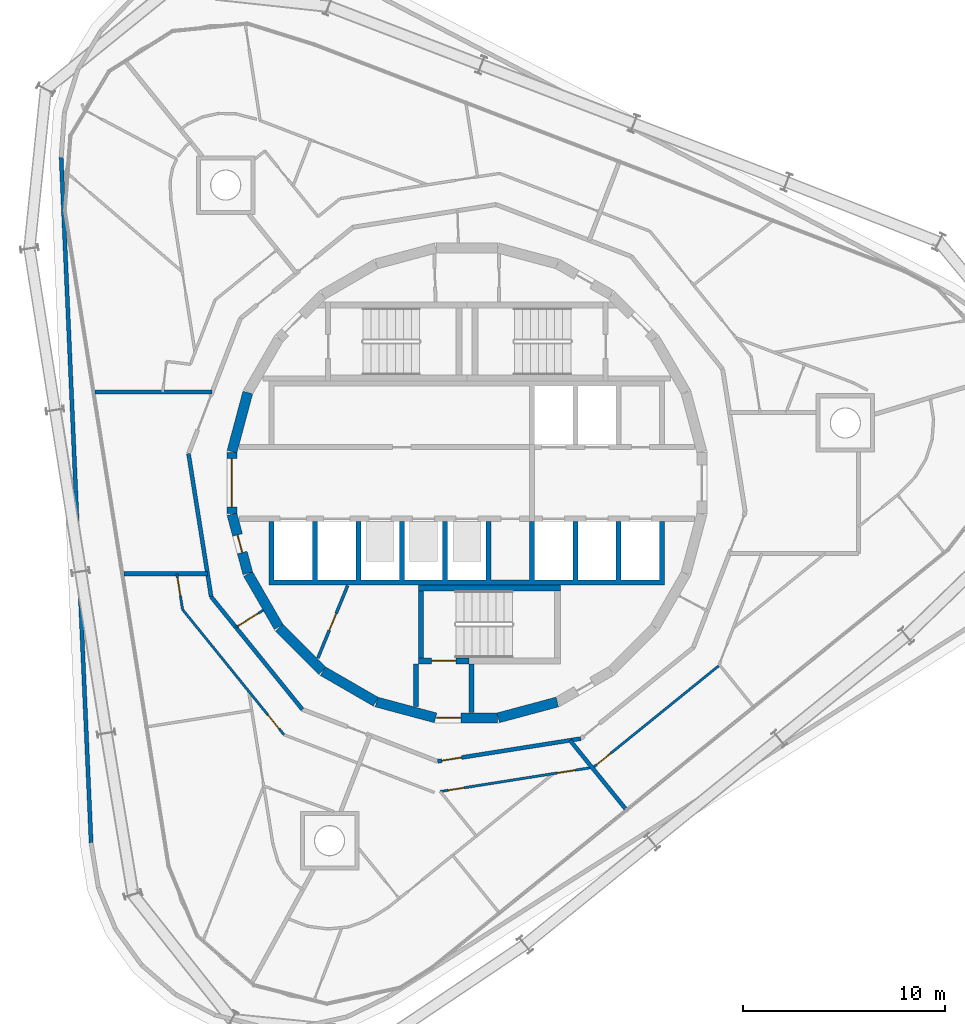
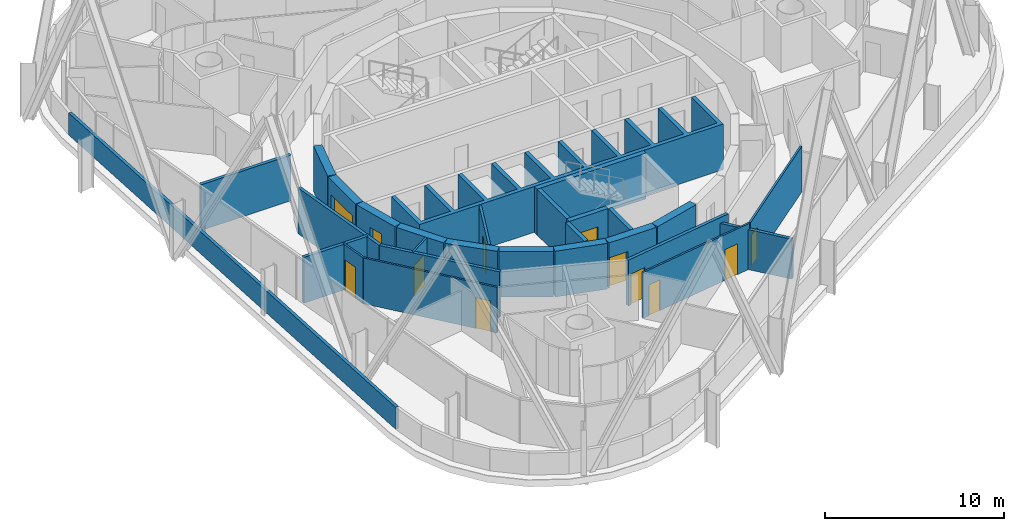
# One storey, part 12 of 19: 28 walls, 12 doors, 12 openings.
"""IFC4 building model written with IfcOpenShell, lengths in metres."""

from ifc_helpers import new_model, si_unit, direction, frame, frame_2d, origin, place, context, subcontext, project, spatial, polyline, rectangle, outline, extrude, material, layer, layer_set, type_object, element, fill, save


model = new_model("IFC4")

# Units and contexts
model_context = context("Model", 3, precision=1e-05, world=origin(), true_north=direction((0.0, 1.0)))
body_context = subcontext(model_context, "Body", "Model", "MODEL_VIEW")
ifc_project = project(units=[si_unit("LENGTHUNIT", "METRE"), si_unit("AREAUNIT", "SQUARE_METRE"), si_unit("VOLUMEUNIT", "CUBIC_METRE"), si_unit("PLANEANGLEUNIT", "RADIAN"), si_unit("MASSUNIT", "GRAM", prefix="KILO")], contexts=[model_context])

# Site, building, storey
site_placement = place(None, origin())
site = spatial("IfcSite", under=ifc_project, at=site_placement, CompositionType="ELEMENT")
building_placement = place(site_placement, origin())
building = spatial("IfcBuilding", under=site, at=building_placement, Name="Spindle Arch Residences", CompositionType="ELEMENT")
storey_placement = place(building_placement, frame((0.0, 0.0, 263.39990234375)))
storey = spatial("IfcBuildingStorey", under=building, at=storey_placement, Name="L67", CompositionType="ELEMENT", Elevation=263.39990234375)

# Walls
ifc_material_1 = material(Name="Concrete C50/60", Category="concrete")
ifc_layer_1 = layer(ifc_material_1, 0.5)
ifc_layer_set_1 = layer_set([ifc_layer_1], Name="Core outline wall 500")
wall_type_1 = type_object("IfcWallType", Name="Core outline wall 500", PredefinedType="SHEAR", material=ifc_layer_set_1)
for number, where, z_axis, x_axis, name in (
    (1, (1.5498046875, -11.642822265625, 0.0), (0.0, 0.0, 1.0), (0.965948410781, 0.258734743916, 0.0), "Core outline wall 1"),
    (2, (-10.858154296875, 4.479248046875, 0.0), (0.0, 0.0, 1.0), (-0.258734743916, -0.965948410781, 0.0), "Core outline wall 17"),
):
    element("IfcWall", number, at=place(storey_placement, frame(where, z_axis=z_axis, x_axis=x_axis)), inside=storey, type_object=wall_type_1, Name=name, PredefinedType="SHEAR", context=body_context, shape_type="SweptSolid", body=[
        extrude(rectangle(XDim=3.03271484375, YDim=0.5, at=frame_2d((1.516357421875, 0.0))), origin(), (0.0, 0.0, 1.0), 3.1201171875),
    ])

# Wall, opening, door
wall_1_placement = place(storey_placement, frame((-11.647216796875, 1.516357421875, 0.0), z_axis=(0.0, 0.0, 1.0), x_axis=(0.0, -1.0, 0.0)))
wall_1 = element("IfcWall", 3, at=wall_1_placement, inside=storey, type_object=wall_type_1, Name="Core outline wall 18", PredefinedType="SHEAR", context=body_context, shape_type="SweptSolid", body=[
    extrude(rectangle(XDim=3.03271484375, YDim=0.5, at=frame_2d((1.516357421875, 0.0))), origin(), (0.0, 0.0, 1.0), 3.1201171875),
])
opening_1_placement = place(wall_1_placement, frame((0.31640625, 0.0, 0.0)))
opening_1 = element("IfcOpeningElement", 4, at=opening_1_placement, cuts=wall_1, Name="Opening R7A0-LE01", PredefinedType="OPENING", context=body_context, shape_type="SweptSolid", body=[
    extrude(rectangle(XDim=2.39990234375, YDim=2.10009765625, at=frame_2d((1.199951171875, 1.050048828125))), frame((0.0, 0.260009765625, 0.0), z_axis=(0.0, -1.0, 0.0), x_axis=(1.0, 0.0, 0.0)), (0.0, 0.0, 1.0), 0.52001953125),
])
ifc_material_2 = material(Name="Steel, fire-resisting door", Category="steel")
door_type_1 = type_object("IfcDoorType", Name="Lift lobby entrance door 2400x2100", OperationType="DOUBLE_DOOR_SINGLE_SWING", PredefinedType="DOOR", material=ifc_material_2)
door_1_placement = place(opening_1_placement, origin())
door_1 = element("IfcDoor", 5, at=door_1_placement, inside=storey, type_object=door_type_1, Name="Lift lobby entrance door R7A0-LE01", OperationType="DOUBLE_DOOR_SINGLE_SWING", OverallHeight=2.10009765625, OverallWidth=2.39990234375, PredefinedType="DOOR", context=body_context, shape_type="SweptSolid", body=[
    extrude(rectangle(XDim=2.39990234375, YDim=2.10009765625, at=frame_2d((1.199951171875, 1.050048828125))), frame((0.0, 0.02490234375, 0.0), z_axis=(0.0, -1.0, 0.0), x_axis=(1.0, 0.0, 0.0)), (0.0, 0.0, 1.0), 0.050048828125),
])
fill(opening_1, door_1)

wall_2_placement = place(storey_placement, frame((-11.642822265625, -1.5498046875, 0.0), z_axis=(0.0, 0.0, 1.0), x_axis=(0.258734743916, -0.965948410781, 0.0)))
wall_2 = element("IfcWall", 6, at=wall_2_placement, inside=storey, type_object=wall_type_1, Name="Core outline wall 19", PredefinedType="SHEAR", context=body_context, shape_type="SweptSolid", body=[
    extrude(rectangle(XDim=3.03271484375, YDim=0.5, at=frame_2d((1.516357421875, 0.0))), origin(), (0.0, 0.0, 1.0), 3.1201171875),
])
opening_2_placement = place(wall_2_placement, frame((1.06640625, 0.0, 0.0)))
opening_2 = element("IfcOpeningElement", 7, at=opening_2_placement, cuts=wall_2, Name="Opening R7A0-WD08", PredefinedType="OPENING", context=body_context, shape_type="SweptSolid", body=[
    extrude(rectangle(XDim=0.89990234375, YDim=2.10009765625, at=frame_2d((0.449951171875, 1.050048828125))), frame((0.0, 0.260009765625, 0.0), z_axis=(0.0, -1.0, 0.0), x_axis=(1.0, 0.0, 0.0)), (0.0, 0.0, 1.0), 0.52001953125),
])
ifc_material_3 = material(Name="Steel, fire-resisting door", Category="steel")
door_type_2 = type_object("IfcDoorType", Name="Service room door 900x2100", OperationType="SINGLE_SWING_LEFT", PredefinedType="DOOR", material=ifc_material_3)
door_2_placement = place(opening_2_placement, origin())
door_2 = element("IfcDoor", 8, at=door_2_placement, inside=storey, type_object=door_type_2, Name="Service room door R7A0-WD08", OperationType="SINGLE_SWING_RIGHT", OverallHeight=2.10009765625, OverallWidth=0.89990234375, PredefinedType="DOOR", context=body_context, shape_type="SweptSolid", body=[
    extrude(rectangle(XDim=0.89990234375, YDim=2.10009765625, at=frame_2d((0.449951171875, 1.050048828125))), frame((0.0, 0.02490234375, 0.0), z_axis=(0.0, -1.0, 0.0), x_axis=(1.0, 0.0, 0.0)), (0.0, 0.0, 1.0), 0.050048828125),
])
fill(opening_2, door_2)

# Walls
wall_3_placement = place(storey_placement, frame((-10.84521484375, -4.510498046875, 0.0), z_axis=(0.0, 0.0, 1.0), x_axis=(0.500087131594, -0.865975092491, 0.0)))
element("IfcWall", 9, at=wall_3_placement, inside=storey, type_object=wall_type_1, Name="Core outline wall 20", PredefinedType="SHEAR", context=body_context, shape_type="SweptSolid", body=[
    extrude(rectangle(XDim=3.03271484375, YDim=0.5, at=frame_2d((1.516357421875, 0.0))), origin(), (0.0, 0.0, 1.0), 3.1201171875),
])
wall_4_placement = place(storey_placement, frame((-9.30810546875, -7.163818359375, 0.0), z_axis=(0.0, 0.0, 1.0), x_axis=(0.707106781187, -0.707106781187, 0.0)))
element("IfcWall", 10, at=wall_4_placement, inside=storey, type_object=wall_type_1, Name="Core outline wall 21", PredefinedType="SHEAR", context=body_context, shape_type="SweptSolid", body=[
    extrude(rectangle(XDim=3.032470703125, YDim=0.5, at=frame_2d((1.51611328125, 0.0))), origin(), (0.0, 0.0, 1.0), 3.1201171875),
])
for number, where, z_axis, x_axis, name in (
    (11, (-7.13671875, -9.32861328125, 0.0), (0.0, 0.0, 1.0), (0.865975092491, -0.500087131594, 0.0), "Core outline wall 22"),
    (12, (-4.479248046875, -10.858154296875, 0.0), (0.0, 0.0, 1.0), (0.965948410781, -0.258734743916, 0.0), "Core outline wall 23"),
):
    element("IfcWall", number, at=place(storey_placement, frame(where, z_axis=z_axis, x_axis=x_axis)), inside=storey, type_object=wall_type_1, Name=name, PredefinedType="SHEAR", context=body_context, shape_type="SweptSolid", body=[
        extrude(rectangle(XDim=3.03271484375, YDim=0.5, at=frame_2d((1.516357421875, 0.0))), origin(), (0.0, 0.0, 1.0), 3.1201171875),
    ])

# Wall, opening, door
wall_5_placement = place(storey_placement, frame((-1.516357421875, -11.647216796875, 0.0), z_axis=(0.0, 0.0, 1.0), x_axis=(1.0, 0.0, 0.0)))
wall_5 = element("IfcWall", 13, at=wall_5_placement, inside=storey, type_object=wall_type_1, Name="Core outline wall 24", PredefinedType="SHEAR", context=body_context, shape_type="SweptSolid", body=[
    extrude(rectangle(XDim=3.03271484375, YDim=0.5, at=frame_2d((1.516357421875, 0.0))), origin(), (0.0, 0.0, 1.0), 3.1201171875),
])
opening_3_placement = place(wall_5_placement, frame((0.016357421875, 0.0, 0.0)))
opening_3 = element("IfcOpeningElement", 14, at=opening_3_placement, cuts=wall_5, Name="Opening R7A0-AD03", PredefinedType="OPENING", context=body_context, shape_type="SweptSolid", body=[
    extrude(rectangle(XDim=1.199951171875, YDim=2.10009765625, at=frame_2d((0.60009765625, 1.050048828125))), frame((0.0, 0.260009765625, 0.0), z_axis=(0.0, -1.0, 0.0), x_axis=(1.0, 0.0, 0.0)), (0.0, 0.0, 1.0), 0.52001953125),
])
ifc_material_4 = material(Name="Steel, fire-resisting door", Category="steel")
door_type_3 = type_object("IfcDoorType", Name="Stair airlock door 1200x2100", OperationType="SINGLE_SWING_LEFT", PredefinedType="DOOR", material=ifc_material_4)
door_3_placement = place(opening_3_placement, origin())
door_3 = element("IfcDoor", 15, at=door_3_placement, inside=storey, type_object=door_type_3, Name="Stair airlock door R7A0-AD03", OperationType="SINGLE_SWING_RIGHT", OverallHeight=2.10009765625, OverallWidth=1.199951171875, PredefinedType="DOOR", context=body_context, shape_type="SweptSolid", body=[
    extrude(rectangle(XDim=1.199951171875, YDim=2.10009765625, at=frame_2d((0.60009765625, 1.050048828125))), frame((0.0, 0.02490234375, 0.0), z_axis=(0.0, -1.0, 0.0), x_axis=(1.0, 0.0, 0.0)), (0.0, 0.0, 1.0), 0.050048828125),
])
fill(opening_3, door_3)

ifc_material_5 = material(Name="Plasterboard on steel studs", Category="steel")
ifc_layer_2 = layer(ifc_material_5, 0.1201171875)
ifc_layer_set_2 = layer_set([ifc_layer_2], Name="Corridor division wall 120")
wall_type_2 = type_object("IfcWallType", Name="Corridor division wall 120", PredefinedType="PARTITIONING", material=ifc_layer_set_2)
wall_6_placement = place(storey_placement, frame((-11.44921875, -7.154296875, 0.0), z_axis=(0.0, 0.0, 1.0), x_axis=(0.848067047543, 0.529888934468, 0.0)))
wall_6 = element("IfcWall", 16, at=wall_6_placement, inside=storey, type_object=wall_type_2, Name="Corridor division wall R7A0-W003", PredefinedType="PARTITIONING", context=body_context, shape_type="SweptSolid", body=[
    extrude(rectangle(XDim=1.595947265625, YDim=0.1201171875, at=frame_2d((0.7978515625, 0.0))), origin(), (0.0, 0.0, 1.0), 3.1201171875),
])
opening_4_placement = place(wall_6_placement, frame((0.1201171875, 0.0, 0.0)))
opening_4 = element("IfcOpeningElement", 17, at=opening_4_placement, cuts=wall_6, Name="Opening R7A0-CD03", PredefinedType="OPENING", context=body_context, shape_type="SweptSolid", body=[
    extrude(rectangle(XDim=1.199951171875, YDim=2.10009765625, at=frame_2d((0.60009765625, 1.050048828125))), frame((0.0, 0.070068359375, 0.0), z_axis=(0.0, -1.0, 0.0), x_axis=(1.0, 0.0, 0.0)), (0.0, 0.0, 1.0), 0.14013671875),
])
ifc_material_6 = material(Name="Steel, fire-resisting door", Category="steel")
door_type_4 = type_object("IfcDoorType", Name="Corridor division door 1200x2100", OperationType="NOTDEFINED", PredefinedType="DOOR", material=ifc_material_6)
door_4_placement = place(opening_4_placement, origin())
door_4 = element("IfcDoor", 18, at=door_4_placement, inside=storey, type_object=door_type_4, Name="Corridor division door R7A0-CD03", OperationType="DOUBLE_DOOR_SINGLE_SWING", OverallHeight=2.10009765625, OverallWidth=1.199951171875, PredefinedType="DOOR", context=body_context, shape_type="SweptSolid", body=[
    extrude(rectangle(XDim=1.199951171875, YDim=2.10009765625, at=frame_2d((0.60009765625, 1.050048828125))), frame((0.0, 0.02490234375, 0.0), z_axis=(0.0, -1.0, 0.0), x_axis=(1.0, 0.0, 0.0)), (0.0, 0.0, 1.0), 0.050048828125),
])
fill(opening_4, door_4)

# Wall
ifc_material_7 = material(Name="Calcium silicate block, plastered")
ifc_layer_3 = layer(ifc_material_7, 0.199951171875)
ifc_layer_set_3 = layer_set([ifc_layer_3], Name="Corridor wall 200")
wall_type_3 = type_object("IfcWallType", Name="Corridor wall 200", PredefinedType="STANDARD", material=ifc_layer_set_3)
wall_7_placement = place(storey_placement, frame((-12.67333984375, -5.642578125, 0.0), z_axis=(0.0, 0.0, 1.0), x_axis=(0.629302871585, -0.777160148113, 0.0)))
element("IfcWall", 19, at=wall_7_placement, inside=storey, type_object=wall_type_3, Name="Corridor wall R7A0-W012", PredefinedType="STANDARD", context=body_context, shape_type="SweptSolid", body=[
    extrude(rectangle(XDim=7.180908203125, YDim=0.199951171875, at=frame_2d((3.59033203125, 0.0))), origin(), (0.0, 0.0, 1.0), 3.1201171875),
])

# Wall, opening, door
wall_8_placement = place(storey_placement, frame((-1.4501953125, -13.796630859375, 0.0), z_axis=(0.0, 0.0, 1.0), x_axis=(0.987690361611, 0.156421704315, 0.0)))
wall_8 = element("IfcWall", 20, at=wall_8_placement, inside=storey, type_object=wall_type_3, Name="Corridor wall R7A0-W014", PredefinedType="STANDARD", context=body_context, shape_type="SweptSolid", body=[
    extrude(rectangle(XDim=7.18115234375, YDim=0.199951171875, at=frame_2d((3.590576171875, 0.0))), origin(), (0.0, 0.0, 1.0), 3.1201171875),
])
opening_5_placement = place(wall_8_placement, frame((0.199951171875, 0.0, 0.0)))
opening_5 = element("IfcOpeningElement", 21, at=opening_5_placement, cuts=wall_8, Name="Opening R7A0-FD05", PredefinedType="OPENING", context=body_context, shape_type="SweptSolid", body=[
    extrude(rectangle(XDim=1.0, YDim=2.10009765625, at=frame_2d((0.5, 1.050048828125))), frame((0.0, 0.10986328125, 0.0), z_axis=(0.0, -1.0, 0.0), x_axis=(1.0, 0.0, 0.0)), (0.0, 0.0, 1.0), 0.219970703125),
])
ifc_material_8 = material(Name="Timber, fire-resisting door set", Category="wood")
door_type_5 = type_object("IfcDoorType", Name="Flat entrance door 1000x2100", OperationType="NOTDEFINED", PredefinedType="DOOR", material=ifc_material_8)
door_5_placement = place(opening_5_placement, origin())
door_5 = element("IfcDoor", 22, at=door_5_placement, inside=storey, type_object=door_type_5, Name="Flat entrance door R7A0-FD05", OperationType="SINGLE_SWING_LEFT", OverallHeight=2.10009765625, OverallWidth=1.0, PredefinedType="DOOR", context=body_context, shape_type="SweptSolid", body=[
    extrude(rectangle(XDim=1.0, YDim=2.10009765625, at=frame_2d((0.5, 1.050048828125))), frame((0.0, 0.02490234375, 0.0), z_axis=(0.0, -1.0, 0.0), x_axis=(1.0, 0.0, 0.0)), (0.0, 0.0, 1.0), 0.050048828125),
])
fill(opening_5, door_5)

ifc_material_9 = material(Name="Plasterboard on steel studs", Category="steel")
ifc_layer_4 = layer(ifc_material_9, 0.1201171875)
ifc_layer_set_4 = layer_set([ifc_layer_4], Name="Flat partition 120")
wall_type_4 = type_object("IfcWallType", Name="Flat partition 120", PredefinedType="PARTITIONING", material=ifc_layer_set_4)
wall_9_placement = place(storey_placement, frame((-14.373046875, -4.5, 0.0), z_axis=(0.0, 0.0, 1.0), x_axis=(0.156437152886, -0.987687914878, 0.0)))
wall_9 = element("IfcWall", 23, at=wall_9_placement, inside=storey, type_object=wall_type_4, Name="Flat partition R7A0-W063", PredefinedType="PARTITIONING", context=body_context, shape_type="SweptSolid", body=[
    extrude(rectangle(XDim=1.79638671875, YDim=0.1201171875, at=frame_2d((0.898193359375, 0.0))), origin(), (0.0, 0.0, 1.0), 3.1201171875),
])
opening_6_placement = place(wall_9_placement, frame((0.199951171875, 0.0, 0.0)))
opening_6 = element("IfcOpeningElement", 24, at=opening_6_placement, cuts=wall_9, Name="Opening R7A0-ID14", PredefinedType="OPENING", context=body_context, shape_type="SweptSolid", body=[
    extrude(rectangle(XDim=0.89990234375, YDim=2.10009765625, at=frame_2d((0.449951171875, 1.050048828125))), frame((0.0, 0.070068359375, 0.0), z_axis=(0.0, -1.0, 0.0), x_axis=(1.0, 0.0, 0.0)), (0.0, 0.0, 1.0), 0.14013671875),
])
ifc_material_10 = material(Name="Timber door set", Category="wood")
door_type_6 = type_object("IfcDoorType", Name="Room door 900x2100", OperationType="NOTDEFINED", PredefinedType="DOOR", material=ifc_material_10)
door_6_placement = place(opening_6_placement, origin())
door_6 = element("IfcDoor", 25, at=door_6_placement, inside=storey, type_object=door_type_6, Name="Room door R7A0-ID14", OperationType="SINGLE_SWING_RIGHT", OverallHeight=2.10009765625, OverallWidth=0.89990234375, PredefinedType="DOOR", context=body_context, shape_type="SweptSolid", body=[
    extrude(rectangle(XDim=0.89990234375, YDim=2.10009765625, at=frame_2d((0.449951171875, 1.050048828125))), frame((0.0, 0.02490234375, 0.0), z_axis=(0.0, -1.0, 0.0), x_axis=(1.0, 0.0, 0.0)), (0.0, 0.0, 1.0), 0.050048828125),
])
fill(opening_6, door_6)

wall_10_placement = place(storey_placement, frame((-14.092041015625, -6.274169921875, 0.0), z_axis=(0.0, 0.0, 1.0), x_axis=(0.62933367237, -0.777135206268, 0.0)))
wall_10 = element("IfcWall", 26, at=wall_10_placement, inside=storey, type_object=wall_type_4, Name="Flat partition R7A0-W064", PredefinedType="PARTITIONING", context=body_context, shape_type="SweptSolid", body=[
    extrude(rectangle(XDim=7.98486328125, YDim=0.1201171875, at=frame_2d((3.992431640625, 0.0))), origin(), (0.0, 0.0, 1.0), 3.1201171875),
])
opening_7_placement = place(wall_10_placement, frame((6.706787109375, 0.0, 0.0)))
opening_7 = element("IfcOpeningElement", 27, at=opening_7_placement, cuts=wall_10, Name="Opening R7A0-ID15", PredefinedType="OPENING", context=body_context, shape_type="SweptSolid", body=[
    extrude(rectangle(XDim=0.89990234375, YDim=2.10009765625, at=frame_2d((0.449951171875, 1.050048828125))), frame((0.0, 0.070068359375, 0.0), z_axis=(0.0, -1.0, 0.0), x_axis=(1.0, 0.0, 0.0)), (0.0, 0.0, 1.0), 0.14013671875),
])
door_7_placement = place(opening_7_placement, origin())
door_7 = element("IfcDoor", 28, at=door_7_placement, inside=storey, type_object=door_type_6, Name="Room door R7A0-ID15", OperationType="SINGLE_SWING_RIGHT", OverallHeight=2.10009765625, OverallWidth=0.89990234375, PredefinedType="DOOR", context=body_context, shape_type="SweptSolid", body=[
    extrude(rectangle(XDim=0.89990234375, YDim=2.10009765625, at=frame_2d((0.449951171875, 1.050048828125))), frame((0.0, 0.02490234375, 0.0), z_axis=(0.0, -1.0, 0.0), x_axis=(1.0, 0.0, 0.0)), (0.0, 0.0, 1.0), 0.050048828125),
])
fill(opening_7, door_7)

# Wall, openings, doors
wall_11_placement = place(storey_placement, frame((-1.318359375, -15.29443359375, 0.0), z_axis=(0.0, 0.0, 1.0), x_axis=(0.987689040792, 0.156430044108, 0.0)))
wall_11 = element("IfcWall", 29, at=wall_11_placement, inside=storey, type_object=wall_type_4, Name="Flat partition R7A0-W074", PredefinedType="PARTITIONING", context=body_context, shape_type="SweptSolid", body=[
    extrude(rectangle(XDim=7.6162109375, YDim=0.1201171875, at=frame_2d((3.80810546875, 0.0))), origin(), (0.0, 0.0, 1.0), 3.1201171875),
])
opening_8_placement = place(wall_11_placement, frame((0.39990234375, 0.0, 0.0)))
opening_8 = element("IfcOpeningElement", 30, at=opening_8_placement, cuts=wall_11, Name="Opening R7A0-BD05", PredefinedType="OPENING", context=body_context, shape_type="SweptSolid", body=[
    extrude(rectangle(XDim=0.800048828125, YDim=2.10009765625, at=frame_2d((0.39990234375, 1.050048828125))), frame((0.0, 0.070068359375, 0.0), z_axis=(0.0, -1.0, 0.0), x_axis=(1.0, 0.0, 0.0)), (0.0, 0.0, 1.0), 0.14013671875),
])
opening_9_placement = place(wall_11_placement, frame((5.88037109375, 0.0, 0.0)))
opening_9 = element("IfcOpeningElement", 31, at=opening_9_placement, cuts=wall_11, Name="Opening R7A0-ID19", PredefinedType="OPENING", context=body_context, shape_type="SweptSolid", body=[
    extrude(rectangle(XDim=0.89990234375, YDim=2.10009765625, at=frame_2d((0.449951171875, 1.050048828125))), frame((0.0, 0.070068359375, 0.0), z_axis=(0.0, -1.0, 0.0), x_axis=(1.0, 0.0, 0.0)), (0.0, 0.0, 1.0), 0.14013671875),
])
ifc_material_11 = material(Name="Timber door set", Category="wood")
door_type_7 = type_object("IfcDoorType", Name="Bathroom door 800x2100", OperationType="NOTDEFINED", PredefinedType="DOOR", material=ifc_material_11)
door_8_placement = place(opening_8_placement, origin())
door_8 = element("IfcDoor", 32, at=door_8_placement, inside=storey, type_object=door_type_7, Name="Bathroom door R7A0-BD05", OperationType="SINGLE_SWING_LEFT", OverallHeight=2.10009765625, OverallWidth=0.800048828125, PredefinedType="DOOR", context=body_context, shape_type="SweptSolid", body=[
    extrude(rectangle(XDim=0.800048828125, YDim=2.10009765625, at=frame_2d((0.39990234375, 1.050048828125))), frame((0.0, 0.02490234375, 0.0), z_axis=(0.0, -1.0, 0.0), x_axis=(1.0, 0.0, 0.0)), (0.0, 0.0, 1.0), 0.050048828125),
])
fill(opening_8, door_8)
door_9_placement = place(opening_9_placement, origin())
door_9 = element("IfcDoor", 33, at=door_9_placement, inside=storey, type_object=door_type_6, Name="Room door R7A0-ID19", OperationType="SINGLE_SWING_LEFT", OverallHeight=2.10009765625, OverallWidth=0.89990234375, PredefinedType="DOOR", context=body_context, shape_type="SweptSolid", body=[
    extrude(rectangle(XDim=0.89990234375, YDim=2.10009765625, at=frame_2d((0.449951171875, 1.050048828125))), frame((0.0, 0.02490234375, 0.0), z_axis=(0.0, -1.0, 0.0), x_axis=(1.0, 0.0, 0.0)), (0.0, 0.0, 1.0), 0.050048828125),
])
fill(opening_9, door_9)

# Wall, opening, door
wall_12_placement = place(storey_placement, frame((6.274169921875, -14.092041015625, 0.0), z_axis=(0.0, 0.0, 1.0), x_axis=(0.777135206268, 0.62933367237, 0.0)))
wall_12 = element("IfcWall", 34, at=wall_12_placement, inside=storey, type_object=wall_type_4, Name="Flat partition R7A0-W085", PredefinedType="PARTITIONING", context=body_context, shape_type="SweptSolid", body=[
    extrude(rectangle(XDim=7.98486328125, YDim=0.1201171875, at=frame_2d((3.992431640625, 0.0))), origin(), (0.0, 0.0, 1.0), 3.1201171875),
])
opening_10_placement = place(wall_12_placement, frame((0.199951171875, 0.0, 0.0)))
opening_10 = element("IfcOpeningElement", 35, at=opening_10_placement, cuts=wall_12, Name="Opening R7A0-ID23", PredefinedType="OPENING", context=body_context, shape_type="SweptSolid", body=[
    extrude(rectangle(XDim=0.89990234375, YDim=2.10009765625, at=frame_2d((0.449951171875, 1.050048828125))), frame((0.0, 0.070068359375, 0.0), z_axis=(0.0, -1.0, 0.0), x_axis=(1.0, 0.0, 0.0)), (0.0, 0.0, 1.0), 0.14013671875),
])
door_10_placement = place(opening_10_placement, origin())
door_10 = element("IfcDoor", 36, at=door_10_placement, inside=storey, type_object=door_type_6, Name="Room door R7A0-ID23", OperationType="SINGLE_SWING_LEFT", OverallHeight=2.10009765625, OverallWidth=0.89990234375, PredefinedType="DOOR", context=body_context, shape_type="SweptSolid", body=[
    extrude(rectangle(XDim=0.89990234375, YDim=2.10009765625, at=frame_2d((0.449951171875, 1.050048828125))), frame((0.0, 0.02490234375, 0.0), z_axis=(0.0, -1.0, 0.0), x_axis=(1.0, 0.0, 0.0)), (0.0, 0.0, 1.0), 0.050048828125),
])
fill(opening_10, door_10)

# Walls
ifc_material_12 = material(Name="Calcium silicate block, plastered")
ifc_layer_5 = layer(ifc_material_12, 0.199951171875)
ifc_layer_set_5 = layer_set([ifc_layer_5], Name="Flat party wall 200 under beam 2730")
wall_type_5 = type_object("IfcWallType", Name="Flat party wall 200 under beam 2730", PredefinedType="STANDARD", material=ifc_layer_set_5)
wall_13_placement = place(storey_placement, frame((7.860595703125, -16.1484375, 0.0), z_axis=(0.0, 0.0, 1.0), x_axis=(-0.629330189513, 0.777138026716, 0.0)))
element("IfcWall", 37, at=wall_13_placement, inside=storey, type_object=wall_type_5, Name="Flat party wall R7A0-W029", PredefinedType="STANDARD", context=body_context, shape_type="SweptSolid", body=[
    extrude(rectangle(XDim=4.364013671875, YDim=0.199951171875, at=frame_2d((2.18212890625, 0.0))), origin(), (0.0, 0.0, 1.0), 2.72998046875),
])
ifc_material_13 = material(Name="Calcium silicate block, plastered")
ifc_layer_6 = layer(ifc_material_13, 0.199951171875)
ifc_layer_set_6 = layer_set([ifc_layer_6], Name="Lift lobby bay wall 200")
wall_type_6 = type_object("IfcWallType", Name="Lift lobby bay wall 200", PredefinedType="STANDARD", material=ifc_layer_set_6)
wall_14_placement = place(storey_placement, frame((-13.796630859375, 1.4501953125, 0.0), z_axis=(0.0, 0.0, 1.0), x_axis=(0.156421704315, -0.987690361611, 0.0)))
element("IfcWall", 38, at=wall_14_placement, inside=storey, type_object=wall_type_6, Name="Lift lobby bay wall R7A0-W010", PredefinedType="STANDARD", context=body_context, shape_type="SweptSolid", body=[
    extrude(rectangle(XDim=7.18115234375, YDim=0.199951171875, at=frame_2d((3.590576171875, 0.0))), origin(), (0.0, 0.0, 1.0), 3.1201171875),
])
wall_15_placement = place(storey_placement, frame((-12.6259765625, 4.5, 0.0), z_axis=(0.0, 0.0, 1.0), x_axis=(-1.0, 0.0, 0.0)))
element("IfcWall", 39, at=wall_15_placement, inside=storey, type_object=wall_type_6, Name="Lift lobby bay wall R7A0-W016", PredefinedType="STANDARD", context=body_context, shape_type="SweptSolid", body=[
    extrude(rectangle(XDim=5.801513671875, YDim=0.199951171875, at=frame_2d((2.90087890625, 0.0))), origin(), (0.0, 0.0, 1.0), 3.1201171875),
])
wall_16_placement = place(storey_placement, frame((-17.001953125, -4.5, 0.0), z_axis=(0.0, 0.0, 1.0), x_axis=(1.0, 0.0, 0.0)))
element("IfcWall", 40, at=wall_16_placement, inside=storey, type_object=wall_type_6, Name="Lift lobby bay wall R7A0-W017", PredefinedType="STANDARD", context=body_context, shape_type="SweptSolid", body=[
    extrude(rectangle(XDim=4.147705078125, YDim=0.199951171875, at=frame_2d((2.07373046875, 0.0))), origin(), (0.0, 0.0, 1.0), 3.1201171875),
])
ifc_material_14 = material(Name="Concrete C50/60", Category="concrete")
wall_type_7 = type_object("IfcWallType", Name="Lift shaft wall profile", PredefinedType="SHEAR", material=ifc_material_14)
wall_17_placement = place(storey_placement, origin())
element("IfcWall", 41, at=wall_17_placement, inside=storey, type_object=wall_type_7, Name="Lift shaft walls S", PredefinedType="SHEAR", context=body_context, shape_type="SweptSolid", body=[
    extrude(outline(polyline([(9.800048828125, -5.050048828125), (9.800048828125, -4.800048828125), (9.800048828125, -1.89990234375), (9.550048828125, -1.89990234375), (9.550048828125, -4.800048828125), (7.64990234375, -4.800048828125), (7.64990234375, -1.89990234375), (7.39990234375, -1.89990234375), (7.39990234375, -4.800048828125), (5.5, -4.800048828125), (5.5, -1.89990234375), (5.25, -1.89990234375), (5.25, -4.800048828125), (3.35009765625, -4.800048828125), (3.35009765625, -1.89990234375), (3.10009765625, -1.89990234375), (3.10009765625, -4.800048828125), (1.199951171875, -4.800048828125), (1.199951171875, -1.89990234375), (0.949951171875, -1.89990234375), (0.949951171875, -4.800048828125), (-0.949951171875, -4.800048828125), (-0.949951171875, -1.89990234375), (-1.199951171875, -1.89990234375), (-1.199951171875, -4.800048828125), (-3.10009765625, -4.800048828125), (-3.10009765625, -1.89990234375), (-3.35009765625, -1.89990234375), (-3.35009765625, -4.800048828125), (-5.25, -4.800048828125), (-5.25, -1.89990234375), (-5.5, -1.89990234375), (-5.5, -4.800048828125), (-7.39990234375, -4.800048828125), (-7.39990234375, -1.89990234375), (-7.64990234375, -1.89990234375), (-7.64990234375, -4.800048828125), (-9.550048828125, -4.800048828125), (-9.550048828125, -1.89990234375), (-9.800048828125, -1.89990234375), (-9.800048828125, -4.800048828125), (-9.800048828125, -5.050048828125), (9.800048828125, -5.050048828125)])), origin(), (0.0, 0.0, 1.0), 3.1201171875),
])
ifc_material_15 = material(Name="Concrete C40/50", Category="concrete")
ifc_layer_7 = layer(ifc_material_15, 0.199951171875)
ifc_layer_set_7 = layer_set([ifc_layer_7], Name="Roof parapet 1500")
wall_type_8 = type_object("IfcWallType", Name="Roof parapet 1500", PredefinedType="PARAPET", material=ifc_layer_set_7)
wall_18_placement = place(storey_placement, frame((-18.624267578125, -17.833740234375, 0.030029296875), z_axis=(0.0, 0.0, 1.0), x_axis=(-0.043617910627, 0.999048286057, 0.0)))
element("IfcWall", 42, at=wall_18_placement, inside=storey, type_object=wall_type_8, Name="Roof parapet L66 1.11", PredefinedType="PARAPET", context=body_context, shape_type="SweptSolid", body=[
    extrude(rectangle(XDim=34.009033203125, YDim=0.199951171875, at=frame_2d((17.00439453125, 0.0))), origin(), (0.0, 0.0, 1.0), 1.5),
])

# Wall, opening, door
ifc_material_16 = material(Name="Concrete C25/30", Category="concrete")
ifc_layer_8 = layer(ifc_material_16, 0.14990234375)
ifc_layer_set_8 = layer_set([ifc_layer_8], Name="Service room partition 150")
wall_type_9 = type_object("IfcWallType", Name="Service room partition 150", PredefinedType="PARTITIONING", material=ifc_layer_set_8)
wall_19_placement = place(storey_placement, frame((-7.385009765625, -8.680908203125, 0.0), z_axis=(0.0, 0.0, 1.0), x_axis=(0.379804590409, 0.925066739811, 0.0)))
wall_19 = element("IfcWall", 43, at=wall_19_placement, inside=storey, type_object=wall_type_9, Name="Core service room partition", PredefinedType="PARTITIONING", context=body_context, shape_type="SweptSolid", body=[
    extrude(rectangle(XDim=3.885009765625, YDim=0.14990234375, at=frame_2d((1.9423828125, 0.0))), origin(), (0.0, 0.0, 1.0), 3.1201171875),
])
opening_11_placement = place(wall_19_placement, frame((1.49267578125, 0.0, 0.0)))
opening_11 = element("IfcOpeningElement", 44, at=opening_11_placement, cuts=wall_19, Name="Opening R7A0-WD04", PredefinedType="OPENING", context=body_context, shape_type="SweptSolid", body=[
    extrude(rectangle(XDim=0.89990234375, YDim=2.10009765625, at=frame_2d((0.449951171875, 1.050048828125))), frame((0.0, 0.0849609375, 0.0), z_axis=(0.0, -1.0, 0.0), x_axis=(1.0, 0.0, 0.0)), (0.0, 0.0, 1.0), 0.169921875),
])
door_11_placement = place(opening_11_placement, origin())
door_11 = element("IfcDoor", 45, at=door_11_placement, inside=storey, type_object=door_type_2, Name="Service room door R7A0-WD04", OperationType="SINGLE_SWING_RIGHT", OverallHeight=2.10009765625, OverallWidth=0.89990234375, PredefinedType="DOOR", context=body_context, shape_type="SweptSolid", body=[
    extrude(rectangle(XDim=0.89990234375, YDim=2.10009765625, at=frame_2d((0.449951171875, 1.050048828125))), frame((0.0, 0.02490234375, 0.0), z_axis=(0.0, -1.0, 0.0), x_axis=(1.0, 0.0, 0.0)), (0.0, 0.0, 1.0), 0.050048828125),
])
fill(opening_11, door_11)

# Walls
ifc_material_17 = material(Name="Concrete C40/50", Category="concrete")
ifc_layer_9 = layer(ifc_material_17, 0.25)
ifc_layer_set_9 = layer_set([ifc_layer_9], Name="Stair airlock wall 250")
wall_type_10 = type_object("IfcWallType", Name="Stair airlock wall 250", PredefinedType="SHEAR", material=ifc_layer_set_9)
wall_20_placement = place(storey_placement, frame((-2.52490234375, -8.969970703125, 0.0), z_axis=(0.0, 0.0, 1.0), x_axis=(0.0, -1.0, 0.0)))
element("IfcWall", 46, at=wall_20_placement, inside=storey, type_object=wall_type_10, Name="Stair ST-3 airlock wall W", PredefinedType="SHEAR", context=body_context, shape_type="SweptSolid", body=[
    extrude(rectangle(XDim=2.110107421875, YDim=0.25, at=frame_2d((1.05517578125, 0.0))), origin(), (0.0, 0.0, 1.0), 3.1201171875),
])
wall_21_placement = place(storey_placement, frame((0.22509765625, -8.969970703125, 0.0), z_axis=(0.0, 0.0, 1.0), x_axis=(0.0, -1.0, 0.0)))
element("IfcWall", 47, at=wall_21_placement, inside=storey, type_object=wall_type_10, Name="Stair ST-3 airlock wall E", PredefinedType="SHEAR", context=body_context, shape_type="SweptSolid", body=[
    extrude(rectangle(XDim=2.409912109375, YDim=0.25, at=frame_2d((1.205078125, 0.0))), origin(), (0.0, 0.0, 1.0), 3.1201171875),
])
ifc_material_18 = material(Name="Concrete C50/60", Category="concrete")
ifc_layer_10 = layer(ifc_material_18, 0.25)
ifc_layer_set_10 = layer_set([ifc_layer_10], Name="Stair enclosure wall 250")
wall_type_11 = type_object("IfcWallType", Name="Stair enclosure wall 250", PredefinedType="SHEAR", material=ifc_layer_set_10)
wall_22_placement = place(storey_placement, frame((-2.27490234375, -8.669921875, 0.0), z_axis=(0.0, 0.0, 1.0), x_axis=(0.0, 1.0, 0.0)))
element("IfcWall", 48, at=wall_22_placement, inside=storey, type_object=wall_type_11, Name="Stair ST-3 enclosure wall W", PredefinedType="SHEAR", context=body_context, shape_type="SweptSolid", body=[
    extrude(rectangle(XDim=3.31982421875, YDim=0.25, at=frame_2d((1.659912109375, 0.0))), origin(), (0.0, 0.0, 1.0), 3.1201171875),
])
ifc_material_19 = material(Name="Concrete C50/60", Category="concrete")
ifc_layer_11 = layer(ifc_material_19, 0.300048828125)
ifc_layer_set_11 = layer_set([ifc_layer_11], Name="Stair enclosure wall 300")
wall_type_12 = type_object("IfcWallType", Name="Stair enclosure wall 300", PredefinedType="SHEAR", material=ifc_layer_set_11)
wall_23_placement = place(storey_placement, frame((-2.39990234375, -5.199951171875, 0.0), z_axis=(0.0, 0.0, 1.0), x_axis=(1.0, 0.0, 0.0)))
element("IfcWall", 49, at=wall_23_placement, inside=storey, type_object=wall_type_12, Name="Stair ST-3 enclosure wall N", PredefinedType="SHEAR", context=body_context, shape_type="SweptSolid", body=[
    extrude(rectangle(XDim=7.0498046875, YDim=0.300048828125, at=frame_2d((3.52490234375, 0.0))), origin(), (0.0, 0.0, 1.0), 3.1201171875),
])

# Wall, opening, door
wall_24_placement = place(storey_placement, frame((-2.39990234375, -8.820068359375, 0.0), z_axis=(0.0, 0.0, 1.0), x_axis=(1.0, 0.0, 0.0)))
wall_24 = element("IfcWall", 50, at=wall_24_placement, inside=storey, type_object=wall_type_12, Name="Stair ST-3 door wall", PredefinedType="SHEAR", context=body_context, shape_type="SweptSolid", body=[
    extrude(rectangle(XDim=2.5, YDim=0.300048828125, at=frame_2d((1.25, 0.0))), origin(), (0.0, 0.0, 1.0), 3.1201171875),
])
opening_12_placement = place(wall_24_placement, frame((0.64990234375, 0.0, 0.0)))
opening_12 = element("IfcOpeningElement", 51, at=opening_12_placement, cuts=wall_24, Name="Opening R7A0-SD03", PredefinedType="OPENING", context=body_context, shape_type="SweptSolid", body=[
    extrude(rectangle(XDim=1.199951171875, YDim=2.10009765625, at=frame_2d((0.60009765625, 1.050048828125))), frame((0.0, 0.16015625, 0.0), z_axis=(0.0, -1.0, 0.0), x_axis=(1.0, 0.0, 0.0)), (0.0, 0.0, 1.0), 0.320068359375),
])
ifc_material_20 = material(Name="Steel, fire-resisting door", Category="steel")
door_type_8 = type_object("IfcDoorType", Name="Stair door 1200x2100", OperationType="SINGLE_SWING_RIGHT", PredefinedType="DOOR", material=ifc_material_20)
door_12_placement = place(opening_12_placement, origin())
door_12 = element("IfcDoor", 52, at=door_12_placement, inside=storey, type_object=door_type_8, Name="Stair door R7A0-SD03", OperationType="SINGLE_SWING_LEFT", OverallHeight=2.10009765625, OverallWidth=1.199951171875, PredefinedType="DOOR", context=body_context, shape_type="SweptSolid", body=[
    extrude(rectangle(XDim=1.199951171875, YDim=2.10009765625, at=frame_2d((0.60009765625, 1.050048828125))), frame((0.0, 0.02490234375, 0.0), z_axis=(0.0, -1.0, 0.0), x_axis=(1.0, 0.0, 0.0)), (0.0, 0.0, 1.0), 0.050048828125),
])
fill(opening_12, door_12)

save(model, "model.ifc")
